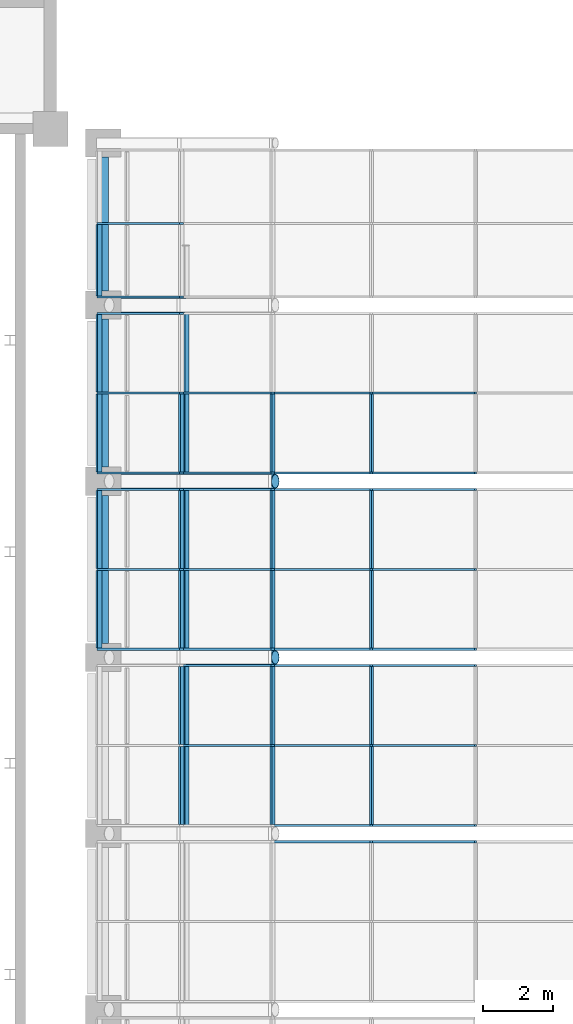
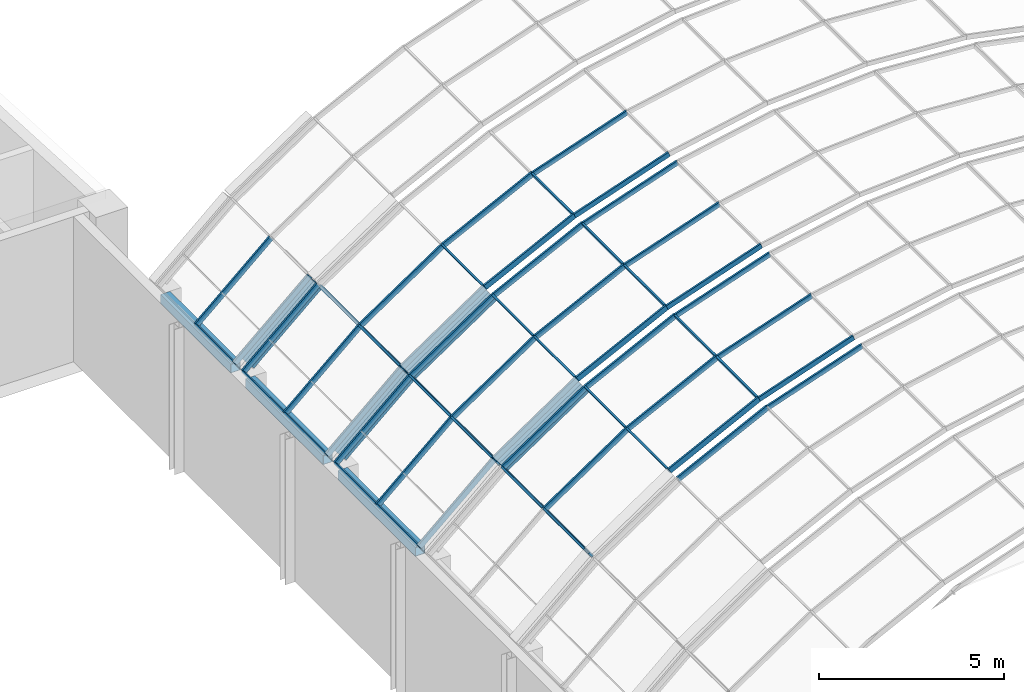
# One storey, part 79 of 182: 60 members, 3 beams, 5 elements without a shape of their own.
"""IFC4 building model written with IfcOpenShell, lengths in metres."""

from ifc_helpers import new_model, si_unit, direction, frame, origin, origin_2d, place, context, subcontext, project, spatial, rectangle, hollow_rectangle, hollow_circle, extrude, material, material_profile, profile_set, type_object, element, aggregate, save


model = new_model("IFC4")

# Units and contexts
model_context = context("Model", 3, precision=1e-05, world=origin(), true_north=direction((0.0, 1.0)))
body_context = subcontext(model_context, "Body", "Model", "MODEL_VIEW")
ifc_project = project(units=[si_unit("LENGTHUNIT", "METRE"), si_unit("AREAUNIT", "SQUARE_METRE"), si_unit("VOLUMEUNIT", "CUBIC_METRE"), si_unit("PLANEANGLEUNIT", "RADIAN"), si_unit("MASSUNIT", "GRAM", prefix="KILO")], contexts=[model_context])

# Site, building, storey
site_placement = place(None, origin())
site = spatial("IfcSite", under=ifc_project, at=site_placement, CompositionType="ELEMENT")
building_placement = place(site_placement, origin())
building = spatial("IfcBuilding", under=site, at=building_placement, Name="Okhra Congress Centre", CompositionType="ELEMENT")
storey_placement = place(building_placement, frame((0.0, 0.0, 7.199951171875)))
storey = spatial("IfcBuildingStorey", under=building, at=storey_placement, Name="L01", CompositionType="ELEMENT", Elevation=7.199951171875)

# Curtain wall, member
ifc_material_1 = material(Name="Aluminium frame with triple glazing", Category="aluminium")
curtain_wall_type = type_object("IfcCurtainWallType", Name="Glazed vault bay curtain wall", PredefinedType="NOTDEFINED", material=ifc_material_1)
curtain_wall_1_placement = place(storey_placement, origin())
curtain_wall_1 = element("IfcCurtainWall", 1, at=curtain_wall_1_placement, inside=storey, type_object=curtain_wall_type, Name="Vault glazing bay 24", PredefinedType="NOTDEFINED")
ifc_material_2 = material(Name="Aluminium alloy 6063", Category="aluminium")
ifc_material_profile_1 = material_profile(ifc_material_2, rectangle(XDim=0.06005859375, YDim=0.159912109375, at=origin_2d()), Name="AL 60x160")
ifc_profile_set_1 = profile_set([ifc_material_profile_1], Name="Aluminium alloy 6063")
member_type_1 = type_object("IfcMemberType", Name="Aluminium mullion 60x160", PredefinedType="MULLION", material=ifc_profile_set_1)
member_1_placement = place(storey_placement, frame((163.11328125, 195.766845703125, 7.12255859375), z_axis=(0.946065064306, 0.0, 0.323976687587), x_axis=(0.0, 1.0, 0.0)))
member_1 = element("IfcMember", 2, at=member_1_placement, type_object=member_type_1, Name="Vault mullion 24.3.4", PredefinedType="MULLION", context=body_context, shape_type="SweptSolid", body=[
    extrude(rectangle(XDim=0.06005859375, YDim=0.159912109375, at=origin_2d()), origin(), (0.0, 0.0, 1.0), 3.124267578125),
])

# Curtain wall, members
curtain_wall_2_placement = place(storey_placement, origin())
curtain_wall_2 = element("IfcCurtainWall", 3, at=curtain_wall_2_placement, inside=storey, type_object=curtain_wall_type, Name="Vault glazing bay 25", PredefinedType="NOTDEFINED")
member_2_placement = place(storey_placement, frame((163.11328125, 196.233154296875, 7.12255859375), z_axis=(0.946065064306, 0.0, 0.323976687587), x_axis=(0.0, 1.0, 0.0)))
member_2 = element("IfcMember", 4, at=member_2_placement, type_object=member_type_1, Name="Vault mullion 25.1.4", PredefinedType="MULLION", context=body_context, shape_type="SweptSolid", body=[
    extrude(rectangle(XDim=0.06005859375, YDim=0.159912109375, at=origin_2d()), origin(), (0.0, 0.0, 1.0), 3.124267578125),
])
member_3_placement = place(storey_placement, frame((163.11328125, 198.5, 7.12255859375), z_axis=(0.946065064306, 0.0, 0.323976687587), x_axis=(0.0, 1.0, 0.0)))
member_3 = element("IfcMember", 5, at=member_3_placement, type_object=member_type_1, Name="Vault mullion 25.2.4", PredefinedType="MULLION", context=body_context, shape_type="SweptSolid", body=[
    extrude(rectangle(XDim=0.06005859375, YDim=0.159912109375, at=origin_2d()), origin(), (0.0, 0.0, 1.0), 3.124267578125),
])
member_4_placement = place(storey_placement, frame((163.11328125, 200.766845703125, 7.12255859375), z_axis=(0.946065064306, 0.0, 0.323976687587), x_axis=(0.0, 1.0, 0.0)))
member_4 = element("IfcMember", 6, at=member_4_placement, type_object=member_type_1, Name="Vault mullion 25.3.4", PredefinedType="MULLION", context=body_context, shape_type="SweptSolid", body=[
    extrude(rectangle(XDim=0.06005859375, YDim=0.159912109375, at=origin_2d()), origin(), (0.0, 0.0, 1.0), 3.124267578125),
])

curtain_wall_3_placement = place(storey_placement, origin())
curtain_wall_3 = element("IfcCurtainWall", 7, at=curtain_wall_3_placement, inside=storey, type_object=curtain_wall_type, Name="Vault glazing bay 26", PredefinedType="NOTDEFINED")
member_5_placement = place(storey_placement, frame((163.11328125, 201.233154296875, 7.12255859375), z_axis=(0.946065064306, 0.0, 0.323976687587), x_axis=(0.0, 1.0, 0.0)))
member_5 = element("IfcMember", 8, at=member_5_placement, type_object=member_type_1, Name="Vault mullion 26.1.4", PredefinedType="MULLION", context=body_context, shape_type="SweptSolid", body=[
    extrude(rectangle(XDim=0.06005859375, YDim=0.159912109375, at=origin_2d()), origin(), (0.0, 0.0, 1.0), 3.124267578125),
])
member_6_placement = place(storey_placement, frame((163.11328125, 203.5, 7.12255859375), z_axis=(0.946065064306, 0.0, 0.323976687587), x_axis=(0.0, 1.0, 0.0)))
member_6 = element("IfcMember", 9, at=member_6_placement, type_object=member_type_1, Name="Vault mullion 26.2.4", PredefinedType="MULLION", context=body_context, shape_type="SweptSolid", body=[
    extrude(rectangle(XDim=0.06005859375, YDim=0.159912109375, at=origin_2d()), origin(), (0.0, 0.0, 1.0), 3.124267578125),
])
member_7_placement = place(storey_placement, frame((163.11328125, 205.766845703125, 7.12255859375), z_axis=(0.946065064306, 0.0, 0.323976687587), x_axis=(0.0, 1.0, 0.0)))
member_7 = element("IfcMember", 10, at=member_7_placement, type_object=member_type_1, Name="Vault mullion 26.3.4", PredefinedType="MULLION", context=body_context, shape_type="SweptSolid", body=[
    extrude(rectangle(XDim=0.06005859375, YDim=0.159912109375, at=origin_2d()), origin(), (0.0, 0.0, 1.0), 3.124267578125),
])

curtain_wall_4_placement = place(storey_placement, origin())
curtain_wall_4 = element("IfcCurtainWall", 11, at=curtain_wall_4_placement, inside=storey, type_object=curtain_wall_type, Name="Vault glazing bay 27", PredefinedType="NOTDEFINED")
member_8_placement = place(storey_placement, frame((163.11328125, 206.233154296875, 7.12255859375), z_axis=(0.946065064306, 0.0, 0.323976687587), x_axis=(0.0, 1.0, 0.0)))
member_8 = element("IfcMember", 12, at=member_8_placement, type_object=member_type_1, Name="Vault mullion 27.1.4", PredefinedType="MULLION", context=body_context, shape_type="SweptSolid", body=[
    extrude(rectangle(XDim=0.06005859375, YDim=0.159912109375, at=origin_2d()), origin(), (0.0, 0.0, 1.0), 3.124267578125),
])
member_9_placement = place(storey_placement, frame((163.11328125, 208.5, 7.12255859375), z_axis=(0.946065064306, 0.0, 0.323976687587), x_axis=(0.0, 1.0, 0.0)))
member_9 = element("IfcMember", 13, at=member_9_placement, type_object=member_type_1, Name="Vault mullion 27.2.4", PredefinedType="MULLION", context=body_context, shape_type="SweptSolid", body=[
    extrude(rectangle(XDim=0.06005859375, YDim=0.159912109375, at=origin_2d()), origin(), (0.0, 0.0, 1.0), 3.124267578125),
])

# Member
ifc_material_profile_2 = material_profile(ifc_material_2, rectangle(XDim=0.06005859375, YDim=0.179931640625, at=origin_2d()), Name="AL 60x180")
ifc_profile_set_2 = profile_set([ifc_material_profile_2], Name="Aluminium alloy 6063")
member_type_2 = type_object("IfcMemberType", Name="Aluminium mullion 60x180", PredefinedType="MULLION", material=ifc_profile_set_2)
member_10_placement = place(storey_placement, frame((160.311279296875, 195.766845703125, 5.7392578125), z_axis=(0.895253656313, 0.0, 0.445556832354), x_axis=(0.0, 1.0, 0.0)))
member_10 = element("IfcMember", 14, at=member_10_placement, type_object=member_type_2, Name="Vault mullion 24.3.3", PredefinedType="MULLION", context=body_context, shape_type="SweptSolid", body=[
    extrude(rectangle(XDim=0.06005859375, YDim=0.179931640625, at=origin_2d()), origin(), (0.0, 0.0, 1.0), 3.12548828125),
])

aggregate(curtain_wall_1, [member_10, member_1])

member_11_placement = place(storey_placement, frame((160.311279296875, 196.233154296875, 5.7392578125), z_axis=(0.895253656313, 0.0, 0.445556832354), x_axis=(0.0, 1.0, 0.0)))
member_11 = element("IfcMember", 15, at=member_11_placement, type_object=member_type_2, Name="Vault mullion 25.1.3", PredefinedType="MULLION", context=body_context, shape_type="SweptSolid", body=[
    extrude(rectangle(XDim=0.06005859375, YDim=0.179931640625, at=origin_2d()), origin(), (0.0, 0.0, 1.0), 3.12548828125),
])

member_12_placement = place(storey_placement, frame((157.720703125, 198.5, 3.990478515625), z_axis=(0.828827846338, 0.0, 0.559503709671), x_axis=(0.0, 1.0, 0.0)))
member_12 = element("IfcMember", 16, at=member_12_placement, type_object=member_type_2, Name="Vault mullion 25.2.2", PredefinedType="MULLION", context=body_context, shape_type="SweptSolid", body=[
    extrude(rectangle(XDim=0.06005859375, YDim=0.179931640625, at=origin_2d()), origin(), (0.0, 0.0, 1.0), 3.12548828125),
])

member_13_placement = place(storey_placement, frame((160.311279296875, 198.5, 5.7392578125), z_axis=(0.895253656313, 0.0, 0.445556832354), x_axis=(0.0, 1.0, 0.0)))
member_13 = element("IfcMember", 17, at=member_13_placement, type_object=member_type_2, Name="Vault mullion 25.2.3", PredefinedType="MULLION", context=body_context, shape_type="SweptSolid", body=[
    extrude(rectangle(XDim=0.06005859375, YDim=0.179931640625, at=origin_2d()), origin(), (0.0, 0.0, 1.0), 3.12548828125),
])

member_14_placement = place(storey_placement, frame((157.720703125, 200.766845703125, 3.990478515625), z_axis=(0.828827846338, 0.0, 0.559503709671), x_axis=(0.0, 1.0, 0.0)))
member_14 = element("IfcMember", 18, at=member_14_placement, type_object=member_type_2, Name="Vault mullion 25.3.2", PredefinedType="MULLION", context=body_context, shape_type="SweptSolid", body=[
    extrude(rectangle(XDim=0.06005859375, YDim=0.179931640625, at=origin_2d()), origin(), (0.0, 0.0, 1.0), 3.12548828125),
])

member_15_placement = place(storey_placement, frame((160.311279296875, 200.766845703125, 5.7392578125), z_axis=(0.895253656313, 0.0, 0.445556832354), x_axis=(0.0, 1.0, 0.0)))
member_15 = element("IfcMember", 19, at=member_15_placement, type_object=member_type_2, Name="Vault mullion 25.3.3", PredefinedType="MULLION", context=body_context, shape_type="SweptSolid", body=[
    extrude(rectangle(XDim=0.06005859375, YDim=0.179931640625, at=origin_2d()), origin(), (0.0, 0.0, 1.0), 3.12548828125),
])

member_16_placement = place(storey_placement, frame((155.382568359375, 201.233154296875, 1.916015625), z_axis=(0.748025229923, 0.0, 0.663670291183), x_axis=(0.0, 1.0, 0.0)))
member_16 = element("IfcMember", 20, at=member_16_placement, type_object=member_type_2, Name="Vault mullion 26.1.1", PredefinedType="MULLION", context=body_context, shape_type="SweptSolid", body=[
    extrude(rectangle(XDim=0.06005859375, YDim=0.179931640625, at=origin_2d()), origin(), (0.0, 0.0, 1.0), 3.125732421875),
])

member_17_placement = place(storey_placement, frame((157.720703125, 201.233154296875, 3.990478515625), z_axis=(0.828827846338, 0.0, 0.559503709671), x_axis=(0.0, 1.0, 0.0)))
member_17 = element("IfcMember", 21, at=member_17_placement, type_object=member_type_2, Name="Vault mullion 26.1.2", PredefinedType="MULLION", context=body_context, shape_type="SweptSolid", body=[
    extrude(rectangle(XDim=0.06005859375, YDim=0.179931640625, at=origin_2d()), origin(), (0.0, 0.0, 1.0), 3.12548828125),
])

member_18_placement = place(storey_placement, frame((160.311279296875, 201.233154296875, 5.7392578125), z_axis=(0.895253656313, 0.0, 0.445556832354), x_axis=(0.0, 1.0, 0.0)))
member_18 = element("IfcMember", 22, at=member_18_placement, type_object=member_type_2, Name="Vault mullion 26.1.3", PredefinedType="MULLION", context=body_context, shape_type="SweptSolid", body=[
    extrude(rectangle(XDim=0.06005859375, YDim=0.179931640625, at=origin_2d()), origin(), (0.0, 0.0, 1.0), 3.12548828125),
])

member_19_placement = place(storey_placement, frame((155.382568359375, 203.5, 1.916015625), z_axis=(0.748025229923, 0.0, 0.663670291183), x_axis=(0.0, 1.0, 0.0)))
member_19 = element("IfcMember", 23, at=member_19_placement, type_object=member_type_2, Name="Vault mullion 26.2.1", PredefinedType="MULLION", context=body_context, shape_type="SweptSolid", body=[
    extrude(rectangle(XDim=0.06005859375, YDim=0.179931640625, at=origin_2d()), origin(), (0.0, 0.0, 1.0), 3.125732421875),
])

member_20_placement = place(storey_placement, frame((157.720703125, 203.5, 3.990478515625), z_axis=(0.828827846338, 0.0, 0.559503709671), x_axis=(0.0, 1.0, 0.0)))
member_20 = element("IfcMember", 24, at=member_20_placement, type_object=member_type_2, Name="Vault mullion 26.2.2", PredefinedType="MULLION", context=body_context, shape_type="SweptSolid", body=[
    extrude(rectangle(XDim=0.06005859375, YDim=0.179931640625, at=origin_2d()), origin(), (0.0, 0.0, 1.0), 3.12548828125),
])

member_21_placement = place(storey_placement, frame((160.311279296875, 203.5, 5.7392578125), z_axis=(0.895253656313, 0.0, 0.445556832354), x_axis=(0.0, 1.0, 0.0)))
member_21 = element("IfcMember", 25, at=member_21_placement, type_object=member_type_2, Name="Vault mullion 26.2.3", PredefinedType="MULLION", context=body_context, shape_type="SweptSolid", body=[
    extrude(rectangle(XDim=0.06005859375, YDim=0.179931640625, at=origin_2d()), origin(), (0.0, 0.0, 1.0), 3.12548828125),
])

member_22_placement = place(storey_placement, frame((155.382568359375, 205.766845703125, 1.916015625), z_axis=(0.748025229923, 0.0, 0.663670291183), x_axis=(0.0, 1.0, 0.0)))
member_22 = element("IfcMember", 26, at=member_22_placement, type_object=member_type_2, Name="Vault mullion 26.3.1", PredefinedType="MULLION", context=body_context, shape_type="SweptSolid", body=[
    extrude(rectangle(XDim=0.06005859375, YDim=0.179931640625, at=origin_2d()), origin(), (0.0, 0.0, 1.0), 3.125732421875),
])

member_23_placement = place(storey_placement, frame((157.720703125, 205.766845703125, 3.990478515625), z_axis=(0.828827846338, 0.0, 0.559503709671), x_axis=(0.0, 1.0, 0.0)))
member_23 = element("IfcMember", 27, at=member_23_placement, type_object=member_type_2, Name="Vault mullion 26.3.2", PredefinedType="MULLION", context=body_context, shape_type="SweptSolid", body=[
    extrude(rectangle(XDim=0.06005859375, YDim=0.179931640625, at=origin_2d()), origin(), (0.0, 0.0, 1.0), 3.12548828125),
])

member_24_placement = place(storey_placement, frame((160.311279296875, 205.766845703125, 5.7392578125), z_axis=(0.895253656313, 0.0, 0.445556832354), x_axis=(0.0, 1.0, 0.0)))
member_24 = element("IfcMember", 28, at=member_24_placement, type_object=member_type_2, Name="Vault mullion 26.3.3", PredefinedType="MULLION", context=body_context, shape_type="SweptSolid", body=[
    extrude(rectangle(XDim=0.06005859375, YDim=0.179931640625, at=origin_2d()), origin(), (0.0, 0.0, 1.0), 3.12548828125),
])

member_25_placement = place(storey_placement, frame((155.382568359375, 206.233154296875, 1.916015625), z_axis=(0.748025229923, 0.0, 0.663670291183), x_axis=(0.0, 1.0, 0.0)))
member_25 = element("IfcMember", 29, at=member_25_placement, type_object=member_type_2, Name="Vault mullion 27.1.1", PredefinedType="MULLION", context=body_context, shape_type="SweptSolid", body=[
    extrude(rectangle(XDim=0.06005859375, YDim=0.179931640625, at=origin_2d()), origin(), (0.0, 0.0, 1.0), 3.125732421875),
])

member_26_placement = place(storey_placement, frame((157.720703125, 206.233154296875, 3.990478515625), z_axis=(0.828827846338, 0.0, 0.559503709671), x_axis=(0.0, 1.0, 0.0)))
member_26 = element("IfcMember", 30, at=member_26_placement, type_object=member_type_2, Name="Vault mullion 27.1.2", PredefinedType="MULLION", context=body_context, shape_type="SweptSolid", body=[
    extrude(rectangle(XDim=0.06005859375, YDim=0.179931640625, at=origin_2d()), origin(), (0.0, 0.0, 1.0), 3.12548828125),
])

member_27_placement = place(storey_placement, frame((160.311279296875, 206.233154296875, 5.7392578125), z_axis=(0.895253656313, 0.0, 0.445556832354), x_axis=(0.0, 1.0, 0.0)))
member_27 = element("IfcMember", 31, at=member_27_placement, type_object=member_type_2, Name="Vault mullion 27.1.3", PredefinedType="MULLION", context=body_context, shape_type="SweptSolid", body=[
    extrude(rectangle(XDim=0.06005859375, YDim=0.179931640625, at=origin_2d()), origin(), (0.0, 0.0, 1.0), 3.12548828125),
])

member_28_placement = place(storey_placement, frame((155.382568359375, 208.5, 1.916015625), z_axis=(0.748025229923, 0.0, 0.663670291183), x_axis=(0.0, 1.0, 0.0)))
member_28 = element("IfcMember", 32, at=member_28_placement, type_object=member_type_2, Name="Vault mullion 27.2.1", PredefinedType="MULLION", context=body_context, shape_type="SweptSolid", body=[
    extrude(rectangle(XDim=0.06005859375, YDim=0.179931640625, at=origin_2d()), origin(), (0.0, 0.0, 1.0), 3.125732421875),
])

member_29_placement = place(storey_placement, frame((157.720703125, 208.5, 3.990478515625), z_axis=(0.828827846338, 0.0, 0.559503709671), x_axis=(0.0, 1.0, 0.0)))
member_29 = element("IfcMember", 33, at=member_29_placement, type_object=member_type_2, Name="Vault mullion 27.2.2", PredefinedType="MULLION", context=body_context, shape_type="SweptSolid", body=[
    extrude(rectangle(XDim=0.06005859375, YDim=0.179931640625, at=origin_2d()), origin(), (0.0, 0.0, 1.0), 3.12548828125),
])

member_30_placement = place(storey_placement, frame((160.311279296875, 208.5, 5.7392578125), z_axis=(0.895253656313, 0.0, 0.445556832354), x_axis=(0.0, 1.0, 0.0)))
member_30 = element("IfcMember", 34, at=member_30_placement, type_object=member_type_2, Name="Vault mullion 27.2.3", PredefinedType="MULLION", context=body_context, shape_type="SweptSolid", body=[
    extrude(rectangle(XDim=0.06005859375, YDim=0.179931640625, at=origin_2d()), origin(), (0.0, 0.0, 1.0), 3.12548828125),
])

member_31_placement = place(storey_placement, frame((155.382568359375, 210.766845703125, 1.916015625), z_axis=(0.748025229923, 0.0, 0.663670291183), x_axis=(0.0, 1.0, 0.0)))
member_31 = element("IfcMember", 35, at=member_31_placement, type_object=member_type_2, Name="Vault mullion 27.3.1", PredefinedType="MULLION", context=body_context, shape_type="SweptSolid", body=[
    extrude(rectangle(XDim=0.06005859375, YDim=0.179931640625, at=origin_2d()), origin(), (0.0, 0.0, 1.0), 3.125732421875),
])

# Curtain wall, members
curtain_wall_5_placement = place(storey_placement, origin())
curtain_wall_5 = element("IfcCurtainWall", 36, at=curtain_wall_5_placement, inside=storey, type_object=curtain_wall_type, Name="Vault glazing bay 28", PredefinedType="NOTDEFINED")
member_32_placement = place(storey_placement, frame((155.382568359375, 211.233154296875, 1.916015625), z_axis=(0.748025229923, 0.0, 0.663670291183), x_axis=(0.0, 1.0, 0.0)))
member_32 = element("IfcMember", 37, at=member_32_placement, type_object=member_type_2, Name="Vault mullion 28.1.1", PredefinedType="MULLION", context=body_context, shape_type="SweptSolid", body=[
    extrude(rectangle(XDim=0.06005859375, YDim=0.179931640625, at=origin_2d()), origin(), (0.0, 0.0, 1.0), 3.125732421875),
])
member_33_placement = place(storey_placement, frame((155.382568359375, 213.320556640625, 1.916015625), z_axis=(0.748025229923, 0.0, 0.663670291183), x_axis=(0.0, 1.0, 0.0)))
member_33 = element("IfcMember", 38, at=member_33_placement, type_object=member_type_2, Name="Vault mullion 28.2.1", PredefinedType="MULLION", context=body_context, shape_type="SweptSolid", body=[
    extrude(rectangle(XDim=0.06005859375, YDim=0.179931640625, at=origin_2d()), origin(), (0.0, 0.0, 1.0), 3.125732421875),
])

# Member
ifc_material_profile_3 = material_profile(ifc_material_2, rectangle(XDim=0.06005859375, YDim=0.159912109375, at=origin_2d()), Name="AL 60x160 transom")
ifc_profile_set_3 = profile_set([ifc_material_profile_3], Name="Aluminium alloy 6063")
member_type_3 = type_object("IfcMemberType", Name="Aluminium transom 60x160", PredefinedType="USERDEFINED", material=ifc_profile_set_3)
member_34_placement = place(storey_placement, frame((163.11328125, 196.26318359375, 7.12255859375), z_axis=(0.0, 1.0, 0.0), x_axis=(-0.922668973833, 0.0, -0.38559300399)))
member_34 = element("IfcMember", 39, at=member_34_placement, type_object=member_type_3, Name="Vault transom 25.1.4", ObjectType="TRANSOM", PredefinedType="USERDEFINED", context=body_context, shape_type="SweptSolid", body=[
    extrude(rectangle(XDim=0.06005859375, YDim=0.159912109375, at=origin_2d()), origin(), (0.0, 0.0, 1.0), 2.206787109375),
])

member_35_placement = place(storey_placement, frame((163.11328125, 198.530029296875, 7.12255859375), z_axis=(0.0, 1.0, 0.0), x_axis=(-0.922668973833, 0.0, -0.38559300399)))
member_35 = element("IfcMember", 40, at=member_35_placement, type_object=member_type_3, Name="Vault transom 25.2.4", ObjectType="TRANSOM", PredefinedType="USERDEFINED", context=body_context, shape_type="SweptSolid", body=[
    extrude(rectangle(XDim=0.06005859375, YDim=0.159912109375, at=origin_2d()), origin(), (0.0, 0.0, 1.0), 2.206787109375),
])

member_36_placement = place(storey_placement, frame((163.11328125, 201.26318359375, 7.12255859375), z_axis=(0.0, 1.0, 0.0), x_axis=(-0.922668973833, 0.0, -0.38559300399)))
member_36 = element("IfcMember", 41, at=member_36_placement, type_object=member_type_3, Name="Vault transom 26.1.4", ObjectType="TRANSOM", PredefinedType="USERDEFINED", context=body_context, shape_type="SweptSolid", body=[
    extrude(rectangle(XDim=0.06005859375, YDim=0.159912109375, at=origin_2d()), origin(), (0.0, 0.0, 1.0), 2.206787109375),
])

member_37_placement = place(storey_placement, frame((163.11328125, 203.530029296875, 7.12255859375), z_axis=(0.0, 1.0, 0.0), x_axis=(-0.922668973833, 0.0, -0.38559300399)))
member_37 = element("IfcMember", 42, at=member_37_placement, type_object=member_type_3, Name="Vault transom 26.2.4", ObjectType="TRANSOM", PredefinedType="USERDEFINED", context=body_context, shape_type="SweptSolid", body=[
    extrude(rectangle(XDim=0.06005859375, YDim=0.159912109375, at=origin_2d()), origin(), (0.0, 0.0, 1.0), 2.206787109375),
])

member_38_placement = place(storey_placement, frame((163.11328125, 206.26318359375, 7.12255859375), z_axis=(0.0, 1.0, 0.0), x_axis=(-0.922668973833, 0.0, -0.38559300399)))
member_38 = element("IfcMember", 43, at=member_38_placement, type_object=member_type_3, Name="Vault transom 27.1.4", ObjectType="TRANSOM", PredefinedType="USERDEFINED", context=body_context, shape_type="SweptSolid", body=[
    extrude(rectangle(XDim=0.06005859375, YDim=0.159912109375, at=origin_2d()), origin(), (0.0, 0.0, 1.0), 2.206787109375),
])

ifc_material_profile_4 = material_profile(ifc_material_2, rectangle(XDim=0.06005859375, YDim=0.179931640625, at=origin_2d()), Name="AL 60x180 transom")
ifc_profile_set_4 = profile_set([ifc_material_profile_4], Name="Aluminium alloy 6063")
member_type_4 = type_object("IfcMemberType", Name="Aluminium transom 60x180", PredefinedType="USERDEFINED", material=ifc_profile_set_4)
member_39_placement = place(storey_placement, frame((157.720703125, 196.26318359375, 3.990478515625), z_axis=(0.0, 1.0, 0.0), x_axis=(-0.790145035185, 0.0, -0.612919915954)))
member_39 = element("IfcMember", 44, at=member_39_placement, type_object=member_type_4, Name="Vault transom 25.1.2", ObjectType="TRANSOM", PredefinedType="USERDEFINED", context=body_context, shape_type="SweptSolid", body=[
    extrude(rectangle(XDim=0.06005859375, YDim=0.179931640625, at=origin_2d()), origin(), (0.0, 0.0, 1.0), 2.206787109375),
])

member_40_placement = place(storey_placement, frame((160.311279296875, 196.26318359375, 5.7392578125), z_axis=(0.0, 1.0, 0.0), x_axis=(-0.86391685861, 0.0, -0.503634452167)))
member_40 = element("IfcMember", 45, at=member_40_placement, type_object=member_type_4, Name="Vault transom 25.1.3", ObjectType="TRANSOM", PredefinedType="USERDEFINED", context=body_context, shape_type="SweptSolid", body=[
    extrude(rectangle(XDim=0.06005859375, YDim=0.179931640625, at=origin_2d()), origin(), (0.0, 0.0, 1.0), 2.206787109375),
])

member_41_placement = place(storey_placement, frame((157.720703125, 198.530029296875, 3.990478515625), z_axis=(0.0, 1.0, 0.0), x_axis=(-0.790145035185, 0.0, -0.612919915954)))
member_41 = element("IfcMember", 46, at=member_41_placement, type_object=member_type_4, Name="Vault transom 25.2.2", ObjectType="TRANSOM", PredefinedType="USERDEFINED", context=body_context, shape_type="SweptSolid", body=[
    extrude(rectangle(XDim=0.06005859375, YDim=0.179931640625, at=origin_2d()), origin(), (0.0, 0.0, 1.0), 2.206787109375),
])

member_42_placement = place(storey_placement, frame((160.311279296875, 198.530029296875, 5.7392578125), z_axis=(0.0, 1.0, 0.0), x_axis=(-0.86391685861, 0.0, -0.503634452167)))
member_42 = element("IfcMember", 47, at=member_42_placement, type_object=member_type_4, Name="Vault transom 25.2.3", ObjectType="TRANSOM", PredefinedType="USERDEFINED", context=body_context, shape_type="SweptSolid", body=[
    extrude(rectangle(XDim=0.06005859375, YDim=0.179931640625, at=origin_2d()), origin(), (0.0, 0.0, 1.0), 2.206787109375),
])

aggregate(curtain_wall_2, [member_11, member_2, member_12, member_13, member_3, member_14, member_15, member_4, member_39, member_40, member_34, member_41, member_42, member_35])

member_43_placement = place(storey_placement, frame((155.382568359375, 201.26318359375, 1.916015625), z_axis=(0.0, 1.0, 0.0), x_axis=(-0.702636070549, 0.0, -0.711549402616)))
member_43 = element("IfcMember", 48, at=member_43_placement, type_object=member_type_4, Name="Vault transom 26.1.1", ObjectType="TRANSOM", PredefinedType="USERDEFINED", context=body_context, shape_type="SweptSolid", body=[
    extrude(rectangle(XDim=0.06005859375, YDim=0.179931640625, at=origin_2d()), origin(), (0.0, 0.0, 1.0), 2.206787109375),
])

member_44_placement = place(storey_placement, frame((157.720703125, 201.26318359375, 3.990478515625), z_axis=(0.0, 1.0, 0.0), x_axis=(-0.790145035185, 0.0, -0.612919915954)))
member_44 = element("IfcMember", 49, at=member_44_placement, type_object=member_type_4, Name="Vault transom 26.1.2", ObjectType="TRANSOM", PredefinedType="USERDEFINED", context=body_context, shape_type="SweptSolid", body=[
    extrude(rectangle(XDim=0.06005859375, YDim=0.179931640625, at=origin_2d()), origin(), (0.0, 0.0, 1.0), 2.206787109375),
])

member_45_placement = place(storey_placement, frame((160.311279296875, 201.26318359375, 5.7392578125), z_axis=(0.0, 1.0, 0.0), x_axis=(-0.86391685861, 0.0, -0.503634452167)))
member_45 = element("IfcMember", 50, at=member_45_placement, type_object=member_type_4, Name="Vault transom 26.1.3", ObjectType="TRANSOM", PredefinedType="USERDEFINED", context=body_context, shape_type="SweptSolid", body=[
    extrude(rectangle(XDim=0.06005859375, YDim=0.179931640625, at=origin_2d()), origin(), (0.0, 0.0, 1.0), 2.206787109375),
])

member_46_placement = place(storey_placement, frame((155.382568359375, 203.530029296875, 1.916015625), z_axis=(0.0, 1.0, 0.0), x_axis=(-0.702636070549, 0.0, -0.711549402616)))
member_46 = element("IfcMember", 51, at=member_46_placement, type_object=member_type_4, Name="Vault transom 26.2.1", ObjectType="TRANSOM", PredefinedType="USERDEFINED", context=body_context, shape_type="SweptSolid", body=[
    extrude(rectangle(XDim=0.06005859375, YDim=0.179931640625, at=origin_2d()), origin(), (0.0, 0.0, 1.0), 2.206787109375),
])

member_47_placement = place(storey_placement, frame((157.720703125, 203.530029296875, 3.990478515625), z_axis=(0.0, 1.0, 0.0), x_axis=(-0.790145035185, 0.0, -0.612919915954)))
member_47 = element("IfcMember", 52, at=member_47_placement, type_object=member_type_4, Name="Vault transom 26.2.2", ObjectType="TRANSOM", PredefinedType="USERDEFINED", context=body_context, shape_type="SweptSolid", body=[
    extrude(rectangle(XDim=0.06005859375, YDim=0.179931640625, at=origin_2d()), origin(), (0.0, 0.0, 1.0), 2.206787109375),
])

member_48_placement = place(storey_placement, frame((160.311279296875, 203.530029296875, 5.7392578125), z_axis=(0.0, 1.0, 0.0), x_axis=(-0.86391685861, 0.0, -0.503634452167)))
member_48 = element("IfcMember", 53, at=member_48_placement, type_object=member_type_4, Name="Vault transom 26.2.3", ObjectType="TRANSOM", PredefinedType="USERDEFINED", context=body_context, shape_type="SweptSolid", body=[
    extrude(rectangle(XDim=0.06005859375, YDim=0.179931640625, at=origin_2d()), origin(), (0.0, 0.0, 1.0), 2.206787109375),
])

aggregate(curtain_wall_3, [member_16, member_17, member_18, member_5, member_19, member_20, member_21, member_6, member_22, member_23, member_24, member_7, member_43, member_44, member_45, member_36, member_46, member_47, member_48, member_37])

member_49_placement = place(storey_placement, frame((155.382568359375, 206.26318359375, 1.916015625), z_axis=(0.0, 1.0, 0.0), x_axis=(-0.702636070549, 0.0, -0.711549402616)))
member_49 = element("IfcMember", 54, at=member_49_placement, type_object=member_type_4, Name="Vault transom 27.1.1", ObjectType="TRANSOM", PredefinedType="USERDEFINED", context=body_context, shape_type="SweptSolid", body=[
    extrude(rectangle(XDim=0.06005859375, YDim=0.179931640625, at=origin_2d()), origin(), (0.0, 0.0, 1.0), 2.206787109375),
])

member_50_placement = place(storey_placement, frame((157.720703125, 206.26318359375, 3.990478515625), z_axis=(0.0, 1.0, 0.0), x_axis=(-0.790145035185, 0.0, -0.612919915954)))
member_50 = element("IfcMember", 55, at=member_50_placement, type_object=member_type_4, Name="Vault transom 27.1.2", ObjectType="TRANSOM", PredefinedType="USERDEFINED", context=body_context, shape_type="SweptSolid", body=[
    extrude(rectangle(XDim=0.06005859375, YDim=0.179931640625, at=origin_2d()), origin(), (0.0, 0.0, 1.0), 2.206787109375),
])

member_51_placement = place(storey_placement, frame((160.311279296875, 206.26318359375, 5.7392578125), z_axis=(0.0, 1.0, 0.0), x_axis=(-0.86391685861, 0.0, -0.503634452167)))
member_51 = element("IfcMember", 56, at=member_51_placement, type_object=member_type_4, Name="Vault transom 27.1.3", ObjectType="TRANSOM", PredefinedType="USERDEFINED", context=body_context, shape_type="SweptSolid", body=[
    extrude(rectangle(XDim=0.06005859375, YDim=0.179931640625, at=origin_2d()), origin(), (0.0, 0.0, 1.0), 2.206787109375),
])

member_52_placement = place(storey_placement, frame((155.382568359375, 208.530029296875, 1.916015625), z_axis=(0.0, 1.0, 0.0), x_axis=(-0.702636070549, 0.0, -0.711549402616)))
member_52 = element("IfcMember", 57, at=member_52_placement, type_object=member_type_4, Name="Vault transom 27.2.1", ObjectType="TRANSOM", PredefinedType="USERDEFINED", context=body_context, shape_type="SweptSolid", body=[
    extrude(rectangle(XDim=0.06005859375, YDim=0.179931640625, at=origin_2d()), origin(), (0.0, 0.0, 1.0), 2.206787109375),
])

aggregate(curtain_wall_4, [member_25, member_26, member_27, member_8, member_28, member_29, member_30, member_9, member_31, member_49, member_50, member_51, member_38, member_52])

member_53_placement = place(storey_placement, frame((155.382568359375, 211.26318359375, 1.916015625), z_axis=(0.0, 1.0, 0.0), x_axis=(-0.702636070549, 0.0, -0.711549402616)))
member_53 = element("IfcMember", 58, at=member_53_placement, type_object=member_type_4, Name="Vault transom 28.1.1", ObjectType="TRANSOM", PredefinedType="USERDEFINED", context=body_context, shape_type="SweptSolid", body=[
    extrude(rectangle(XDim=0.06005859375, YDim=0.179931640625, at=origin_2d()), origin(), (0.0, 0.0, 1.0), 2.02734375),
])

aggregate(curtain_wall_5, [member_32, member_33, member_53])

# Beams
ifc_material_3 = material(Name="Steel S355J2", Category="steel")
ifc_material_profile_5 = material_profile(ifc_material_3, hollow_rectangle(XDim=0.300048828125, YDim=0.300048828125, WallThickness=0.012451171875, at=origin_2d()), Name="RHS 300x300x12.5")
ifc_profile_set_5 = profile_set([ifc_material_profile_5], Name="Steel S355J2")
beam_type = type_object("IfcBeamType", Name="Steel eaves beam RHS 300x300x12.5", PredefinedType="BEAM", material=ifc_profile_set_5)
for number, where, z_axis, x_axis, name in (
    (59, (155.5, 201.39990234375, 1.650146484375), (0.0, 1.0, 0.0), (-1.0, 0.0, 0.0), "Eaves beam W26"),
    (60, (155.5, 206.39990234375, 1.650146484375), (0.0, 1.0, 0.0), (-1.0, 0.0, 0.0), "Eaves beam W27"),
):
    element("IfcBeam", number, at=place(storey_placement, frame(where, z_axis=z_axis, x_axis=x_axis)), inside=storey, type_object=beam_type, Name=name, PredefinedType="BEAM", context=body_context, shape_type="SweptSolid", body=[
        extrude(hollow_rectangle(XDim=0.300048828125, YDim=0.300048828125, WallThickness=0.012451171875, at=origin_2d()), origin(), (0.0, 0.0, 1.0), 4.2001953125),
    ])
beam_placement = place(storey_placement, frame((155.5, 211.39990234375, 1.650146484375), z_axis=(0.0, 1.0, 0.0), x_axis=(-1.0, 0.0, 0.0)))
element("IfcBeam", 61, at=beam_placement, inside=storey, type_object=beam_type, Name="Eaves beam W28", PredefinedType="BEAM", context=body_context, shape_type="SweptSolid", body=[
    extrude(hollow_rectangle(XDim=0.300048828125, YDim=0.300048828125, WallThickness=0.012451171875, at=origin_2d()), origin(), (0.0, 0.0, 1.0), 3.800048828125),
])

# Members
ifc_material_profile_6 = material_profile(ifc_material_3, hollow_rectangle(XDim=0.10009765625, YDim=0.199951171875, WallThickness=0.008056640625, at=origin_2d()), Name="RHS 200x100x8")
ifc_profile_set_6 = profile_set([ifc_material_profile_6], Name="Steel S355J2")
member_type_5 = type_object("IfcMemberType", Name="Steel purlin RHS 200x100x8", PredefinedType="PURLIN", material=ifc_profile_set_6)
for number, where, z_axis, x_axis, name in (
    (62, (157.837158203125, 196.203125, 3.84033203125), (0.0, 1.0, 0.0), (-0.790145035185, 0.0, -0.612919915954), "Vault purlin 25.1"),
    (63, (157.837158203125, 201.203125, 3.84033203125), (0.0, 1.0, 0.0), (-0.790145035185, 0.0, -0.612919915954), "Vault purlin 26.1"),
    (64, (157.837158203125, 206.203125, 3.84033203125), (0.0, 1.0, 0.0), (-0.790145035185, 0.0, -0.612919915954), "Vault purlin 27.1"),
):
    element("IfcMember", number, at=place(storey_placement, frame(where, z_axis=z_axis, x_axis=x_axis)), inside=storey, type_object=member_type_5, Name=name, PredefinedType="PURLIN", context=body_context, shape_type="SweptSolid", body=[
        extrude(hollow_rectangle(XDim=0.10009765625, YDim=0.199951171875, WallThickness=0.008056640625, at=origin_2d()), origin(), (0.0, 0.0, 1.0), 4.59375),
    ])
ifc_material_profile_7 = material_profile(ifc_material_3, hollow_circle(Radius=0.203125, WallThickness=0.01611328125, at=origin_2d()), Name="CHS 406.4x16")
ifc_profile_set_7 = profile_set([ifc_material_profile_7], Name="Steel S355J2")
member_type_6 = type_object("IfcMemberType", Name="Tubular steel arch rib CHS 406x16", PredefinedType="USERDEFINED", material=ifc_profile_set_7)
member_54_placement = place(storey_placement, frame((157.8330078125, 201.0, 3.86767578125), z_axis=(0.82882567543, 0.0, 0.559506925558), x_axis=(0.0, 1.0, 0.0)))
element("IfcMember", 65, at=member_54_placement, inside=storey, type_object=member_type_6, Name="Arch rib 26.2", ObjectType="Arch rib", PredefinedType="USERDEFINED", context=body_context, shape_type="SweptSolid", body=[
    extrude(hollow_circle(Radius=0.203125, WallThickness=0.01611328125, at=origin_2d()), origin(), (0.0, 0.0, 1.0), 3.07666015625),
])
member_55_placement = place(storey_placement, frame((155.67138671875, 206.0, 1.9521484375), z_axis=(0.74800221093, 0.0, 0.663696235069), x_axis=(0.0, 1.0, 0.0)))
element("IfcMember", 66, at=member_55_placement, inside=storey, type_object=member_type_6, Name="Arch rib 27.1", ObjectType="Arch rib", PredefinedType="USERDEFINED", context=body_context, shape_type="SweptSolid", body=[
    extrude(hollow_circle(Radius=0.203125, WallThickness=0.01611328125, at=origin_2d()), origin(), (0.0, 0.0, 1.0), 2.861083984375),
])
member_56_placement = place(storey_placement, frame((157.8330078125, 206.0, 3.86767578125), z_axis=(0.82882567543, 0.0, 0.559506925558), x_axis=(0.0, 1.0, 0.0)))
element("IfcMember", 67, at=member_56_placement, inside=storey, type_object=member_type_6, Name="Arch rib 27.2", ObjectType="Arch rib", PredefinedType="USERDEFINED", context=body_context, shape_type="SweptSolid", body=[
    extrude(hollow_circle(Radius=0.203125, WallThickness=0.01611328125, at=origin_2d()), origin(), (0.0, 0.0, 1.0), 3.07666015625),
])
member_57_placement = place(storey_placement, frame((155.67138671875, 211.0, 1.9521484375), z_axis=(0.74800221093, 0.0, 0.663696235069), x_axis=(0.0, 1.0, 0.0)))
element("IfcMember", 68, at=member_57_placement, inside=storey, type_object=member_type_6, Name="Arch rib 28.1", ObjectType="Arch rib", PredefinedType="USERDEFINED", context=body_context, shape_type="SweptSolid", body=[
    extrude(hollow_circle(Radius=0.203125, WallThickness=0.01611328125, at=origin_2d()), origin(), (0.0, 0.0, 1.0), 2.861083984375),
])

save(model, "model.ifc")
